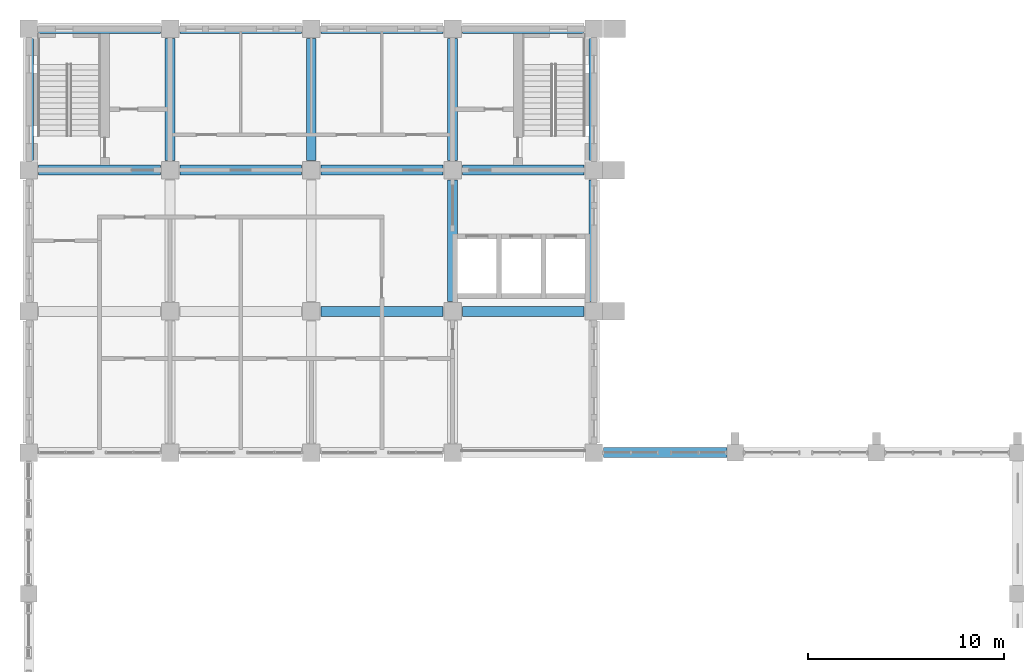
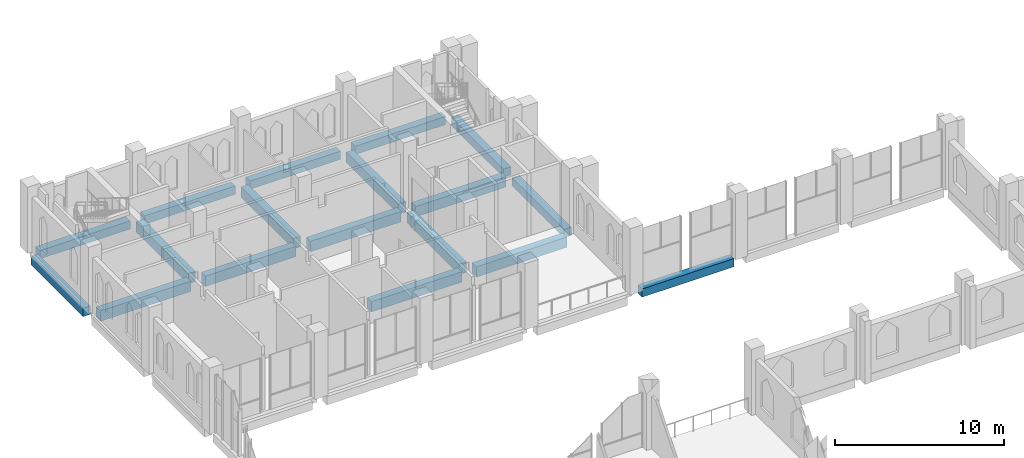
# One storey, part 12 of 40: 18 beams.
"""IFC4 building model written with IfcOpenShell, lengths in metres."""

from ifc_helpers import new_model, si_unit, direction, frame, origin, origin_2d, place, context, subcontext, project, spatial, rectangle, extrude, material, material_profile, profile_set, type_object, element, save


model = new_model("IFC4")

# Units and contexts
model_context = context("Model", 3, precision=1e-05, world=origin(), true_north=direction((0.0, 1.0)))
body_context = subcontext(model_context, "Body", "Model", "MODEL_VIEW")
ifc_project = project(units=[si_unit("LENGTHUNIT", "METRE"), si_unit("AREAUNIT", "SQUARE_METRE"), si_unit("VOLUMEUNIT", "CUBIC_METRE"), si_unit("PLANEANGLEUNIT", "RADIAN"), si_unit("MASSUNIT", "GRAM", prefix="KILO")], contexts=[model_context])

# Site, building, storey
site_placement = place(None, origin())
site = spatial("IfcSite", under=ifc_project, at=site_placement, CompositionType="ELEMENT")
building_placement = place(site_placement, origin())
building = spatial("IfcBuilding", under=site, at=building_placement, Name="Silangan Lancet Faculty of Sciences", CompositionType="ELEMENT")
storey_placement = place(building_placement, frame((0.0, 0.0, 16.800048828125)))
storey = spatial("IfcBuildingStorey", under=building, at=storey_placement, Name="L03", CompositionType="ELEMENT", Elevation=16.800048828125)

# Beams
ifc_material_1 = material(Name="Concrete C40/50", Category="concrete")
ifc_material_profile_1 = material_profile(ifc_material_1, rectangle(XDim=0.5, YDim=0.60009765625, at=origin_2d()), Name="RC 500x600")
ifc_profile_set_1 = profile_set([ifc_material_profile_1], Name="Concrete C40/50")
beam_type_1 = type_object("IfcBeamType", Name="BEAM RC 500x600", PredefinedType="BEAM", material=ifc_profile_set_1)
beam_1_placement = place(storey_placement, frame((29.300048828125, 36.0, -0.300048828125), z_axis=(1.0, 0.0, 0.0), x_axis=(0.0, 1.0, 0.0)))
element("IfcBeam", 1, at=beam_1_placement, inside=storey, type_object=beam_type_1, Name="BM-L03-5F-6F", PredefinedType="BEAM", context=body_context, shape_type="SweptSolid", body=[
    extrude(rectangle(XDim=0.5, YDim=0.60009765625, at=origin_2d()), origin(), (0.0, 0.0, 1.0), 6.27490234375),
])
for number, where, z_axis, x_axis, name in (
    (2, (0.5, 57.60009765625, -0.550048828125), (1.0, 0.0, 0.0), (0.0, 1.0, 0.0), "BM-L03-1I-2I"),
    (3, (7.699951171875, 57.60009765625, -0.550048828125), (1.0, 0.0, 0.0), (0.0, 1.0, 0.0), "BM-L03-2I-3I"),
):
    element("IfcBeam", number, at=place(storey_placement, frame(where, z_axis=z_axis, x_axis=x_axis)), inside=storey, type_object=beam_type_1, Name=name, PredefinedType="BEAM", context=body_context, shape_type="SweptSolid", body=[
        extrude(rectangle(XDim=0.5, YDim=0.60009765625, at=origin_2d()), origin(), (0.0, 0.0, 1.0), 6.199951171875),
    ])
beam_2_placement = place(storey_placement, frame((14.89990234375, 57.60009765625, -0.550048828125), z_axis=(1.0, 0.0, 0.0), x_axis=(0.0, 1.0, 0.0)))
element("IfcBeam", 4, at=beam_2_placement, inside=storey, type_object=beam_type_1, Name="BM-L03-3I-4I", PredefinedType="BEAM", context=body_context, shape_type="SweptSolid", body=[
    extrude(rectangle(XDim=0.5, YDim=0.60009765625, at=origin_2d()), origin(), (0.0, 0.0, 1.0), 6.2001953125),
])
beam_3_placement = place(storey_placement, frame((22.10009765625, 57.60009765625, -0.550048828125), z_axis=(1.0, 0.0, 0.0), x_axis=(0.0, 1.0, 0.0)))
element("IfcBeam", 5, at=beam_3_placement, inside=storey, type_object=beam_type_1, Name="BM-L03-4I-5I", PredefinedType="BEAM", context=body_context, shape_type="SweptSolid", body=[
    extrude(rectangle(XDim=0.5, YDim=0.60009765625, at=origin_2d()), origin(), (0.0, 0.0, 1.0), 6.199951171875),
])
beam_4_placement = place(storey_placement, frame((0.0, 50.89990234375, -0.550048828125), z_axis=(0.0, 1.0, 0.0), x_axis=(-1.0, 0.0, 0.0)))
element("IfcBeam", 6, at=beam_4_placement, inside=storey, type_object=beam_type_1, Name="BM-L03-1H-1I", PredefinedType="BEAM", context=body_context, shape_type="SweptSolid", body=[
    extrude(rectangle(XDim=0.5, YDim=0.60009765625, at=origin_2d()), origin(), (0.0, 0.0, 1.0), 6.2001953125),
])
beam_5_placement = place(storey_placement, frame((28.800048828125, 43.699951171875, -0.550048828125), z_axis=(0.0, 1.0, 0.0), x_axis=(-1.0, 0.0, 0.0)))
element("IfcBeam", 7, at=beam_5_placement, inside=storey, type_object=beam_type_1, Name="BM-L03-5G-5H", PredefinedType="BEAM", context=body_context, shape_type="SweptSolid", body=[
    extrude(rectangle(XDim=0.5, YDim=0.60009765625, at=origin_2d()), origin(), (0.0, 0.0, 1.0), 6.199951171875),
])
beam_6_placement = place(storey_placement, frame((28.800048828125, 50.89990234375, -0.550048828125), z_axis=(0.0, 1.0, 0.0), x_axis=(-1.0, 0.0, 0.0)))
element("IfcBeam", 8, at=beam_6_placement, inside=storey, type_object=beam_type_1, Name="BM-L03-5H-5I", PredefinedType="BEAM", context=body_context, shape_type="SweptSolid", body=[
    extrude(rectangle(XDim=0.5, YDim=0.60009765625, at=origin_2d()), origin(), (0.0, 0.0, 1.0), 6.2001953125),
])
ifc_material_2 = material(Name="Concrete C40/50", Category="concrete")
ifc_material_profile_2 = material_profile(ifc_material_2, rectangle(XDim=0.5, YDim=0.75, at=origin_2d()), Name="RC 500x750")
ifc_profile_set_2 = profile_set([ifc_material_profile_2], Name="Concrete C40/50")
beam_type_2 = type_object("IfcBeamType", Name="BEAM RC 500x750", PredefinedType="BEAM", material=ifc_profile_set_2)
beam_7_placement = place(storey_placement, frame((14.89990234375, 43.199951171875, -0.625), z_axis=(1.0, 0.0, 0.0), x_axis=(0.0, 1.0, 0.0)))
element("IfcBeam", 9, at=beam_7_placement, inside=storey, type_object=beam_type_2, Name="BM-L03-3G-4G", PredefinedType="BEAM", context=body_context, shape_type="SweptSolid", body=[
    extrude(rectangle(XDim=0.5, YDim=0.75, at=origin_2d()), origin(), (0.0, 0.0, 1.0), 6.2001953125),
])
for number, where, z_axis, x_axis, name in (
    (10, (22.10009765625, 43.199951171875, -0.625), (1.0, 0.0, 0.0), (0.0, 1.0, 0.0), "BM-L03-4G-5G"),
    (11, (0.5, 50.39990234375, -0.625), (1.0, 0.0, 0.0), (0.0, 1.0, 0.0), "BM-L03-1H-2H"),
    (12, (7.699951171875, 50.39990234375, -0.625), (1.0, 0.0, 0.0), (0.0, 1.0, 0.0), "BM-L03-2H-3H"),
):
    element("IfcBeam", number, at=place(storey_placement, frame(where, z_axis=z_axis, x_axis=x_axis)), inside=storey, type_object=beam_type_2, Name=name, PredefinedType="BEAM", context=body_context, shape_type="SweptSolid", body=[
        extrude(rectangle(XDim=0.5, YDim=0.75, at=origin_2d()), origin(), (0.0, 0.0, 1.0), 6.199951171875),
    ])
beam_8_placement = place(storey_placement, frame((14.89990234375, 50.39990234375, -0.625), z_axis=(1.0, 0.0, 0.0), x_axis=(0.0, 1.0, 0.0)))
element("IfcBeam", 13, at=beam_8_placement, inside=storey, type_object=beam_type_2, Name="BM-L03-3H-4H", PredefinedType="BEAM", context=body_context, shape_type="SweptSolid", body=[
    extrude(rectangle(XDim=0.5, YDim=0.75, at=origin_2d()), origin(), (0.0, 0.0, 1.0), 6.2001953125),
])
beam_9_placement = place(storey_placement, frame((22.10009765625, 50.39990234375, -0.625), z_axis=(1.0, 0.0, 0.0), x_axis=(0.0, 1.0, 0.0)))
element("IfcBeam", 14, at=beam_9_placement, inside=storey, type_object=beam_type_2, Name="BM-L03-4H-5H", PredefinedType="BEAM", context=body_context, shape_type="SweptSolid", body=[
    extrude(rectangle(XDim=0.5, YDim=0.75, at=origin_2d()), origin(), (0.0, 0.0, 1.0), 6.199951171875),
])
for number, where, z_axis, x_axis, name in (
    (15, (7.199951171875, 50.89990234375, -0.625), (0.0, 1.0, 0.0), (-1.0, 0.0, 0.0), "BM-L03-2H-2I"),
    (16, (14.39990234375, 50.89990234375, -0.625), (0.0, 1.0, 0.0), (-1.0, 0.0, 0.0), "BM-L03-3H-3I"),
):
    element("IfcBeam", number, at=place(storey_placement, frame(where, z_axis=z_axis, x_axis=x_axis)), inside=storey, type_object=beam_type_2, Name=name, PredefinedType="BEAM", context=body_context, shape_type="SweptSolid", body=[
        extrude(rectangle(XDim=0.5, YDim=0.75, at=origin_2d()), origin(), (0.0, 0.0, 1.0), 6.2001953125),
    ])
beam_10_placement = place(storey_placement, frame((21.60009765625, 43.699951171875, -0.625), z_axis=(0.0, 1.0, 0.0), x_axis=(-1.0, 0.0, 0.0)))
element("IfcBeam", 17, at=beam_10_placement, inside=storey, type_object=beam_type_2, Name="BM-L03-4G-4H", PredefinedType="BEAM", context=body_context, shape_type="SweptSolid", body=[
    extrude(rectangle(XDim=0.5, YDim=0.75, at=origin_2d()), origin(), (0.0, 0.0, 1.0), 6.199951171875),
])
beam_11_placement = place(storey_placement, frame((21.60009765625, 50.89990234375, -0.625), z_axis=(0.0, 1.0, 0.0), x_axis=(-1.0, 0.0, 0.0)))
element("IfcBeam", 18, at=beam_11_placement, inside=storey, type_object=beam_type_2, Name="BM-L03-4H-4I", PredefinedType="BEAM", context=body_context, shape_type="SweptSolid", body=[
    extrude(rectangle(XDim=0.5, YDim=0.75, at=origin_2d()), origin(), (0.0, 0.0, 1.0), 6.2001953125),
])

save(model, "model.ifc")
